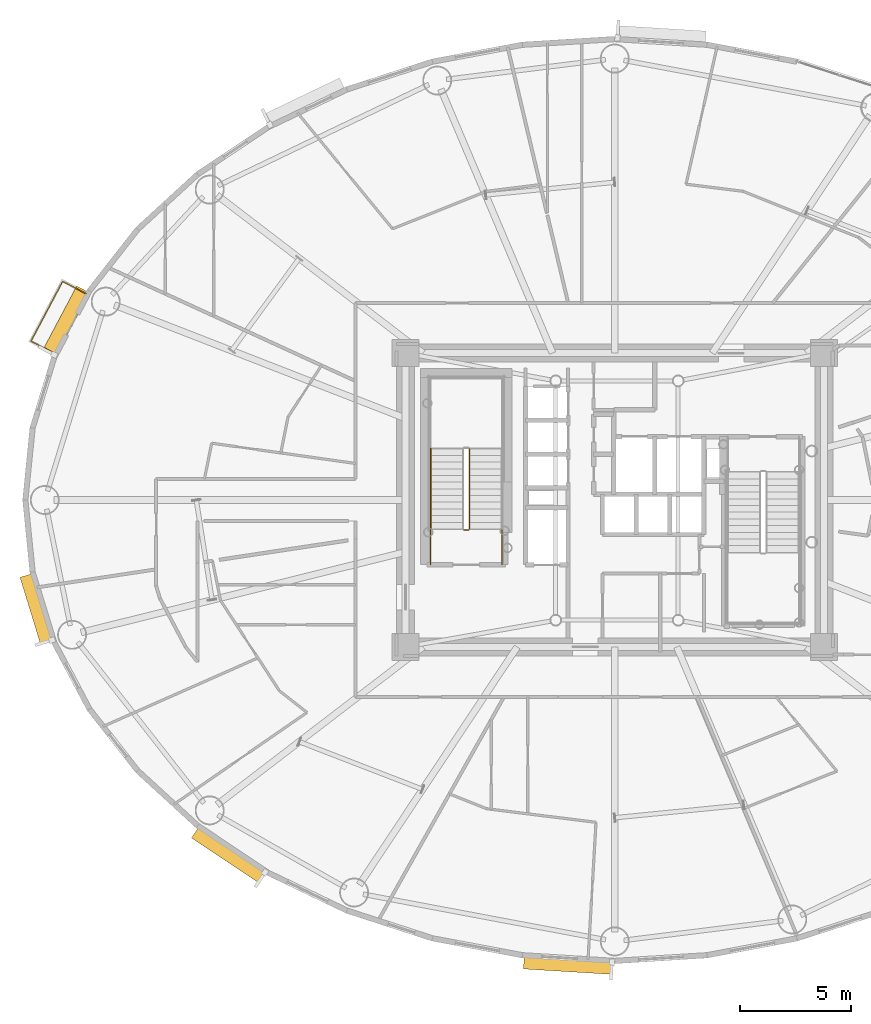
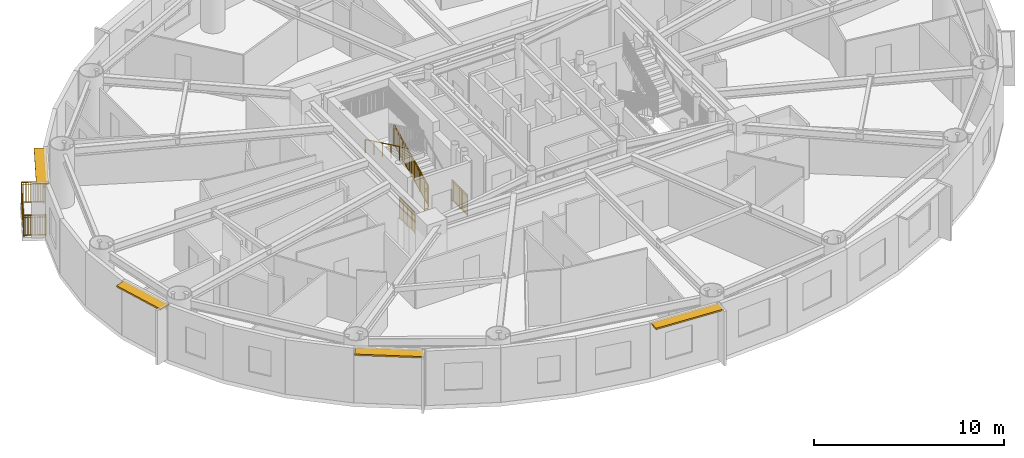
# One storey, part 15 of 21: 6 railings, 4 shading devices.
"""IFC4 building model written with IfcOpenShell, lengths in metres."""

from ifc_helpers import new_model, si_unit, direction, frame, origin, origin_2d, place, context, subcontext, project, spatial, rectangle, extrude, source, transform, mapped, material, layer, layer_set, type_object, element, save


model = new_model("IFC4")

# Units and contexts
model_context = context("Model", 3, precision=1e-05, world=origin(), true_north=direction((0.0, 1.0)))
body_context = subcontext(model_context, "Body", "Model", "MODEL_VIEW")
ifc_project = project(units=[si_unit("LENGTHUNIT", "METRE"), si_unit("AREAUNIT", "SQUARE_METRE"), si_unit("VOLUMEUNIT", "CUBIC_METRE"), si_unit("PLANEANGLEUNIT", "RADIAN"), si_unit("MASSUNIT", "GRAM", prefix="KILO")], contexts=[model_context])

# Site, building, storey
site_placement = place(None, origin())
site = spatial("IfcSite", under=ifc_project, at=site_placement, CompositionType="ELEMENT")
building_placement = place(site_placement, origin())
building = spatial("IfcBuilding", under=site, at=building_placement, Name="Linh Dai School and Residence Tower", CompositionType="ELEMENT")
storey_placement = place(building_placement, frame((0.0, 0.0, 156.14990234375)))
storey = spatial("IfcBuildingStorey", under=building, at=storey_placement, Name="L37", CompositionType="ELEMENT", Elevation=156.14990234375)

# Shading devices
ifc_material_1 = material(Name="Terracotta Ceramic Sunshade", Category="masonry")
ifc_layer = layer(ifc_material_1, 0.10009765625)
ifc_layer_set = layer_set([ifc_layer], Name="Terracotta Ceramic Sunshade")
shading_device_type = type_object("IfcShadingDeviceType", Name="SHD-TC-650", PredefinedType="USERDEFINED", material=ifc_layer_set)
shared_shape_1 = source(origin(), body_context, "Body", "SweptSolid", [
    extrude(rectangle(XDim=3.168212890625, YDim=0.64990234375, at=origin_2d()), origin(), (0.0, 0.0, 1.0), 0.10009765625),
])
shading_device_1_placement = place(storey_placement, frame((10.061279296875, 22.105224609375, 3.380126953125), z_axis=(0.0, 0.0, 1.0), x_axis=(-0.293121969301, 0.956075055167, 0.0)))
element("IfcShadingDevice", 1, at=shading_device_1_placement, inside=storey, type_object=shading_device_type, Name="L37 Terracotta Horizontal Sunshade Band 22", ObjectType="SUNSHADE", PredefinedType="USERDEFINED", context=body_context, shape_type="MappedRepresentation", body=[
    mapped(shared_shape_1, transform((0.0, 0.0, 0.0), x_axis=(1.0, 0.0, 0.0), y_axis=(0.0, 1.0, 0.0), z_axis=(0.0, 0.0, 1.0), scale=1.0)),
])
shared_shape_2 = source(origin(), body_context, "Body", "SweptSolid", [
    extrude(rectangle(XDim=3.64794921875, YDim=0.64990234375, at=origin_2d()), origin(), (0.0, 0.0, 1.0), 0.10009765625),
])
shading_device_2_placement = place(storey_placement, frame((18.68896484375, 11.076171875, 3.380126953125), z_axis=(0.0, 0.0, 1.0), x_axis=(-0.831228338651, 0.555931154932, 0.0)))
element("IfcShadingDevice", 2, at=shading_device_2_placement, inside=storey, type_object=shading_device_type, Name="L37 Terracotta Horizontal Sunshade Band 26", ObjectType="SUNSHADE", PredefinedType="USERDEFINED", context=body_context, shape_type="MappedRepresentation", body=[
    mapped(shared_shape_2, transform((0.0, 0.0, 0.0), x_axis=(1.0, 0.0, 0.0), y_axis=(0.0, 1.0, 0.0), z_axis=(0.0, 0.0, 1.0), scale=1.0)),
])
shared_shape_3 = source(origin(), body_context, "Body", "SweptSolid", [
    extrude(rectangle(XDim=3.987548828125, YDim=0.64990234375, at=origin_2d()), origin(), (0.0, 0.0, 1.0), 0.10009765625),
])
shading_device_3_placement = place(storey_placement, frame((33.90966796875, 6.13818359375, 3.380126953125), z_axis=(0.0, 0.0, 1.0), x_axis=(-0.99810632076, 0.061512376467, 0.0)))
element("IfcShadingDevice", 3, at=shading_device_3_placement, inside=storey, type_object=shading_device_type, Name="L37 Terracotta Horizontal Sunshade Band 30", ObjectType="SUNSHADE", PredefinedType="USERDEFINED", context=body_context, shape_type="MappedRepresentation", body=[
    mapped(shared_shape_3, transform((0.0, 0.0, 0.0), x_axis=(1.0, 0.0, 0.0), y_axis=(0.0, 1.0, 0.0), z_axis=(0.0, 0.0, 1.0), scale=1.0)),
])

# Railing
ifc_material_2 = material(Name="Structural Steel S355JR", Category="steel")
railing_type_1 = type_object("IfcRailingType", Name="RL-BAL-1400", PredefinedType="BALUSTRADE", material=ifc_material_2)
shared_shape_4 = source(origin(), body_context, "Body", "SweptSolid", [
    extrude(rectangle(XDim=0.048095703125, YDim=0.048095703125, at=origin_2d()), frame((0.0, 0.0, 1.3759765625), z_axis=(-0.884059525788, 0.467374319859, 0.0), x_axis=(-0.467374319859, -0.884059525788, 0.0)), (0.0, 0.0, 1.0), 1.179931640625),
    extrude(rectangle(XDim=0.048095703125, YDim=0.048095703125, at=origin_2d()), frame((0.0, 0.0, 0.10009765625), z_axis=(-0.884059525788, 0.467374319859, 0.0), x_axis=(-0.467374319859, -0.884059525788, 0.0)), (0.0, 0.0, 1.0), 1.179931640625),
    extrude(rectangle(XDim=0.030029296875, YDim=0.030029296875, at=origin_2d()), frame((0.0, 0.0, 1.239990234375), z_axis=(-0.884059525788, 0.467374319859, 0.0), x_axis=(-0.467374319859, -0.884059525788, 0.0)), (0.0, 0.0, 1.0), 1.179931640625),
    extrude(rectangle(XDim=0.02001953125, YDim=0.02001953125, at=origin_2d()), frame((-0.080322265625, 0.04248046875, 0.10009765625)), (0.0, 0.0, 1.0), 1.251708984375),
    extrude(rectangle(XDim=0.02001953125, YDim=0.02001953125, at=origin_2d()), frame((-0.160400390625, 0.0849609375, 0.10009765625)), (0.0, 0.0, 1.0), 1.251708984375),
    extrude(rectangle(XDim=0.02001953125, YDim=0.02001953125, at=origin_2d()), frame((-0.24072265625, 0.127197265625, 0.10009765625)), (0.0, 0.0, 1.0), 1.251708984375),
    extrude(rectangle(XDim=0.02001953125, YDim=0.02001953125, at=origin_2d()), frame((-0.321044921875, 0.169677734375, 0.10009765625)), (0.0, 0.0, 1.0), 1.251708984375),
    extrude(rectangle(XDim=0.02001953125, YDim=0.02001953125, at=origin_2d()), frame((-0.401123046875, 0.212158203125, 0.10009765625)), (0.0, 0.0, 1.0), 1.251708984375),
    extrude(rectangle(XDim=0.02001953125, YDim=0.02001953125, at=origin_2d()), frame((-0.4814453125, 0.254638671875, 0.10009765625)), (0.0, 0.0, 1.0), 1.251708984375),
    extrude(rectangle(XDim=0.02001953125, YDim=0.02001953125, at=origin_2d()), frame((-0.561767578125, 0.296875, 0.10009765625)), (0.0, 0.0, 1.0), 1.251708984375),
    extrude(rectangle(XDim=0.02001953125, YDim=0.02001953125, at=origin_2d()), frame((-0.64208984375, 0.33935546875, 0.10009765625)), (0.0, 0.0, 1.0), 1.251708984375),
    extrude(rectangle(XDim=0.02001953125, YDim=0.02001953125, at=origin_2d()), frame((-0.72216796875, 0.3818359375, 0.10009765625)), (0.0, 0.0, 1.0), 1.251708984375),
    extrude(rectangle(XDim=0.02001953125, YDim=0.02001953125, at=origin_2d()), frame((-0.802490234375, 0.42431640625, 0.10009765625)), (0.0, 0.0, 1.0), 1.251708984375),
    extrude(rectangle(XDim=0.02001953125, YDim=0.02001953125, at=origin_2d()), frame((-0.8828125, 0.466552734375, 0.10009765625)), (0.0, 0.0, 1.0), 1.251708984375),
    extrude(rectangle(XDim=0.02001953125, YDim=0.02001953125, at=origin_2d()), frame((-0.962890625, 0.509033203125, 0.10009765625)), (0.0, 0.0, 1.0), 1.251708984375),
    extrude(rectangle(XDim=0.048095703125, YDim=0.048095703125, at=origin_2d()), frame((-1.043212890625, 0.551513671875, 1.3759765625), z_axis=(0.467602962324, 0.88393861191, 0.0), x_axis=(-0.88393861191, 0.467602962324, 0.0)), (0.0, 0.0, 1.0), 3.033447265625),
    extrude(rectangle(XDim=0.048095703125, YDim=0.048095703125, at=origin_2d()), frame((-1.043212890625, 0.551513671875, 0.10009765625), z_axis=(0.467602962324, 0.88393861191, 0.0), x_axis=(-0.88393861191, 0.467602962324, 0.0)), (0.0, 0.0, 1.0), 3.033447265625),
    extrude(rectangle(XDim=0.030029296875, YDim=0.030029296875, at=origin_2d()), frame((-1.043212890625, 0.551513671875, 1.239990234375), z_axis=(0.467602962324, 0.88393861191, 0.0), x_axis=(-0.88393861191, 0.467602962324, 0.0)), (0.0, 0.0, 1.0), 3.033447265625),
    extrude(rectangle(XDim=0.02001953125, YDim=0.02001953125, at=origin_2d()), frame((-0.99755859375, 0.637939453125, 0.10009765625)), (0.0, 0.0, 1.0), 1.251708984375),
    extrude(rectangle(XDim=0.02001953125, YDim=0.02001953125, at=origin_2d()), frame((-0.95166015625, 0.724609375, 0.10009765625)), (0.0, 0.0, 1.0), 1.251708984375),
    extrude(rectangle(XDim=0.02001953125, YDim=0.02001953125, at=origin_2d()), frame((-0.906005859375, 0.81103515625, 0.10009765625)), (0.0, 0.0, 1.0), 1.251708984375),
    extrude(rectangle(XDim=0.02001953125, YDim=0.02001953125, at=origin_2d()), frame((-0.860107421875, 0.8974609375, 0.10009765625)), (0.0, 0.0, 1.0), 1.251708984375),
    extrude(rectangle(XDim=0.02001953125, YDim=0.02001953125, at=origin_2d()), frame((-0.814453125, 0.98388671875, 0.10009765625)), (0.0, 0.0, 1.0), 1.251708984375),
    extrude(rectangle(XDim=0.02001953125, YDim=0.02001953125, at=origin_2d()), frame((-0.7685546875, 1.070556640625, 0.10009765625)), (0.0, 0.0, 1.0), 1.251708984375),
    extrude(rectangle(XDim=0.02001953125, YDim=0.02001953125, at=origin_2d()), frame((-0.722900390625, 1.156982421875, 0.10009765625)), (0.0, 0.0, 1.0), 1.251708984375),
    extrude(rectangle(XDim=0.02001953125, YDim=0.02001953125, at=origin_2d()), frame((-0.67724609375, 1.243408203125, 0.10009765625)), (0.0, 0.0, 1.0), 1.251708984375),
    extrude(rectangle(XDim=0.02001953125, YDim=0.02001953125, at=origin_2d()), frame((-0.63134765625, 1.330078125, 0.10009765625)), (0.0, 0.0, 1.0), 1.251708984375),
    extrude(rectangle(XDim=0.02001953125, YDim=0.02001953125, at=origin_2d()), frame((-0.539794921875, 1.5029296875, 0.10009765625)), (0.0, 0.0, 1.0), 1.251708984375),
    extrude(rectangle(XDim=0.02001953125, YDim=0.02001953125, at=origin_2d()), frame((-0.494140625, 1.58935546875, 0.10009765625)), (0.0, 0.0, 1.0), 1.251708984375),
    extrude(rectangle(XDim=0.02001953125, YDim=0.02001953125, at=origin_2d()), frame((-0.448486328125, 1.676025390625, 0.10009765625)), (0.0, 0.0, 1.0), 1.251708984375),
    extrude(rectangle(XDim=0.02001953125, YDim=0.02001953125, at=origin_2d()), frame((-0.402587890625, 1.762451171875, 0.10009765625)), (0.0, 0.0, 1.0), 1.251708984375),
    extrude(rectangle(XDim=0.02001953125, YDim=0.02001953125, at=origin_2d()), frame((-0.35693359375, 1.848876953125, 0.10009765625)), (0.0, 0.0, 1.0), 1.251708984375),
    extrude(rectangle(XDim=0.02001953125, YDim=0.02001953125, at=origin_2d()), frame((-0.31103515625, 1.935546875, 0.10009765625)), (0.0, 0.0, 1.0), 1.251708984375),
    extrude(rectangle(XDim=0.02001953125, YDim=0.02001953125, at=origin_2d()), frame((-0.265380859375, 2.02197265625, 0.10009765625)), (0.0, 0.0, 1.0), 1.251708984375),
    extrude(rectangle(XDim=0.02001953125, YDim=0.02001953125, at=origin_2d()), frame((-0.219482421875, 2.1083984375, 0.10009765625)), (0.0, 0.0, 1.0), 1.251708984375),
    extrude(rectangle(XDim=0.02001953125, YDim=0.02001953125, at=origin_2d()), frame((-0.173828125, 2.195068359375, 0.10009765625)), (0.0, 0.0, 1.0), 1.251708984375),
    extrude(rectangle(XDim=0.02001953125, YDim=0.02001953125, at=origin_2d()), frame((-0.128173828125, 2.281494140625, 0.10009765625)), (0.0, 0.0, 1.0), 1.251708984375),
    extrude(rectangle(XDim=0.02001953125, YDim=0.02001953125, at=origin_2d()), frame((-0.03662109375, 2.454345703125, 0.10009765625)), (0.0, 0.0, 1.0), 1.251708984375),
    extrude(rectangle(XDim=0.02001953125, YDim=0.02001953125, at=origin_2d()), frame((0.00927734375, 2.541015625, 0.10009765625)), (0.0, 0.0, 1.0), 1.251708984375),
    extrude(rectangle(XDim=0.02001953125, YDim=0.02001953125, at=origin_2d()), frame((0.054931640625, 2.62744140625, 0.10009765625)), (0.0, 0.0, 1.0), 1.251708984375),
    extrude(rectangle(XDim=0.02001953125, YDim=0.02001953125, at=origin_2d()), frame((0.1005859375, 2.7138671875, 0.10009765625)), (0.0, 0.0, 1.0), 1.251708984375),
    extrude(rectangle(XDim=0.02001953125, YDim=0.02001953125, at=origin_2d()), frame((0.146484375, 2.800537109375, 0.10009765625)), (0.0, 0.0, 1.0), 1.251708984375),
    extrude(rectangle(XDim=0.02001953125, YDim=0.02001953125, at=origin_2d()), frame((0.192138671875, 2.886962890625, 0.10009765625)), (0.0, 0.0, 1.0), 1.251708984375),
    extrude(rectangle(XDim=0.02001953125, YDim=0.02001953125, at=origin_2d()), frame((0.238037109375, 2.973388671875, 0.10009765625)), (0.0, 0.0, 1.0), 1.251708984375),
    extrude(rectangle(XDim=0.02001953125, YDim=0.02001953125, at=origin_2d()), frame((0.28369140625, 3.059814453125, 0.10009765625)), (0.0, 0.0, 1.0), 1.251708984375),
    extrude(rectangle(XDim=0.02001953125, YDim=0.02001953125, at=origin_2d()), frame((0.32958984375, 3.146484375, 0.10009765625)), (0.0, 0.0, 1.0), 1.251708984375),
    extrude(rectangle(XDim=0.048095703125, YDim=0.048095703125, at=origin_2d()), frame((0.375244140625, 3.23291015625, 1.3759765625), z_axis=(0.883928800226, -0.467621509483, 0.0), x_axis=(0.467621509483, 0.883928800226, 0.0)), (0.0, 0.0, 1.0), 1.179931640625),
    extrude(rectangle(XDim=0.048095703125, YDim=0.048095703125, at=origin_2d()), frame((0.375244140625, 3.23291015625, 0.10009765625), z_axis=(0.883928800226, -0.467621509483, 0.0), x_axis=(0.467621509483, 0.883928800226, 0.0)), (0.0, 0.0, 1.0), 1.179931640625),
    extrude(rectangle(XDim=0.030029296875, YDim=0.030029296875, at=origin_2d()), frame((0.375244140625, 3.23291015625, 1.239990234375), z_axis=(0.883928800226, -0.467621509483, 0.0), x_axis=(0.467621509483, 0.883928800226, 0.0)), (0.0, 0.0, 1.0), 1.179931640625),
    extrude(rectangle(XDim=0.02001953125, YDim=0.02001953125, at=origin_2d()), frame((0.45556640625, 3.1904296875, 0.10009765625)), (0.0, 0.0, 1.0), 1.251708984375),
    extrude(rectangle(XDim=0.02001953125, YDim=0.02001953125, at=origin_2d()), frame((0.53564453125, 3.14794921875, 0.10009765625)), (0.0, 0.0, 1.0), 1.251708984375),
    extrude(rectangle(XDim=0.02001953125, YDim=0.02001953125, at=origin_2d()), frame((0.615966796875, 3.10546875, 0.10009765625)), (0.0, 0.0, 1.0), 1.251708984375),
    extrude(rectangle(XDim=0.02001953125, YDim=0.02001953125, at=origin_2d()), frame((0.696044921875, 3.063232421875, 0.10009765625)), (0.0, 0.0, 1.0), 1.251708984375),
    extrude(rectangle(XDim=0.02001953125, YDim=0.02001953125, at=origin_2d()), frame((0.7763671875, 3.020751953125, 0.10009765625)), (0.0, 0.0, 1.0), 1.251708984375),
    extrude(rectangle(XDim=0.02001953125, YDim=0.02001953125, at=origin_2d()), frame((0.856689453125, 2.978271484375, 0.10009765625)), (0.0, 0.0, 1.0), 1.251708984375),
    extrude(rectangle(XDim=0.02001953125, YDim=0.02001953125, at=origin_2d()), frame((0.936767578125, 2.935791015625, 0.10009765625)), (0.0, 0.0, 1.0), 1.251708984375),
    extrude(rectangle(XDim=0.02001953125, YDim=0.02001953125, at=origin_2d()), frame((1.01708984375, 2.893310546875, 0.10009765625)), (0.0, 0.0, 1.0), 1.251708984375),
    extrude(rectangle(XDim=0.02001953125, YDim=0.02001953125, at=origin_2d()), frame((1.097412109375, 2.850830078125, 0.10009765625)), (0.0, 0.0, 1.0), 1.251708984375),
    extrude(rectangle(XDim=0.02001953125, YDim=0.02001953125, at=origin_2d()), frame((1.177490234375, 2.80859375, 0.10009765625)), (0.0, 0.0, 1.0), 1.251708984375),
    extrude(rectangle(XDim=0.02001953125, YDim=0.02001953125, at=origin_2d()), frame((1.2578125, 2.76611328125, 0.10009765625)), (0.0, 0.0, 1.0), 1.251708984375),
    extrude(rectangle(XDim=0.02001953125, YDim=0.02001953125, at=origin_2d()), frame((1.337890625, 2.7236328125, 0.10009765625)), (0.0, 0.0, 1.0), 1.251708984375),
    extrude(rectangle(XDim=0.0419921875, YDim=0.0419921875, at=origin_2d()), origin(), (0.0, 0.0, 1.0), 1.3759765625),
    extrude(rectangle(XDim=0.0419921875, YDim=0.0419921875, at=origin_2d()), frame((-1.043212890625, 0.551513671875, 0.0)), (0.0, 0.0, 1.0), 1.3759765625),
    extrude(rectangle(XDim=0.0419921875, YDim=0.0419921875, at=origin_2d()), frame((-0.5703125, 1.4453125, 0.0)), (0.0, 0.0, 1.0), 1.3759765625),
    extrude(rectangle(XDim=0.0419921875, YDim=0.0419921875, at=origin_2d()), frame((-0.09765625, 2.339111328125, 0.0)), (0.0, 0.0, 1.0), 1.3759765625),
    extrude(rectangle(XDim=0.0419921875, YDim=0.0419921875, at=origin_2d()), frame((0.375244140625, 3.23291015625, 0.0)), (0.0, 0.0, 1.0), 1.3759765625),
    extrude(rectangle(XDim=0.0419921875, YDim=0.0419921875, at=origin_2d()), frame((1.418212890625, 2.68115234375, 0.0)), (0.0, 0.0, 1.0), 1.3759765625),
])
railing_1_placement = place(storey_placement, frame((10.826416015625, 33.587890625, 0.0)))
element("IfcRailing", 4, at=railing_1_placement, inside=storey, type_object=railing_type_1, Name="L37 Balcony Safety Balustrade 18", PredefinedType="BALUSTRADE", context=body_context, shape_type="MappedRepresentation", body=[
    mapped(shared_shape_4, transform((0.0, 0.0, 0.0), x_axis=(1.0, 0.0, 0.0), y_axis=(0.0, 1.0, 0.0), z_axis=(0.0, 0.0, 1.0), scale=1.0)),
])

# Shading device
shared_shape_5 = source(origin(), body_context, "Body", "SweptSolid", [
    extrude(rectangle(XDim=3.257568359375, YDim=0.64990234375, at=origin_2d()), origin(), (0.0, 0.0, 1.0), 0.10009765625),
])
shading_device_4_placement = place(storey_placement, frame((11.358642578125, 35.02197265625, 3.380126953125), z_axis=(0.0, 0.0, 1.0), x_axis=(0.467580060884, 0.883950726378, 0.0)))
element("IfcShadingDevice", 5, at=shading_device_4_placement, inside=storey, type_object=shading_device_type, Name="L37 Terracotta Horizontal Sunshade Band 18", ObjectType="SUNSHADE", PredefinedType="USERDEFINED", context=body_context, shape_type="MappedRepresentation", body=[
    mapped(shared_shape_5, transform((0.0, 0.0, 0.0), x_axis=(1.0, 0.0, 0.0), y_axis=(0.0, 1.0, 0.0), z_axis=(0.0, 0.0, 1.0), scale=1.0)),
])

# Railings
railing_type_2 = type_object("IfcRailingType", Name="RL-ST-GUARD-1400", PredefinedType="GUARDRAIL", material=ifc_material_2)
shared_shape_6 = source(origin(), body_context, "Body", "SweptSolid", [
    extrude(rectangle(XDim=0.048095703125, YDim=0.048095703125, at=origin_2d()), frame((0.0, 0.0, 1.3759765625), z_axis=(-1.0, 0.0, 0.0), x_axis=(0.0, -1.0, 0.0)), (0.0, 0.0, 1.0), 0.199951171875),
    extrude(rectangle(XDim=0.048095703125, YDim=0.048095703125, at=origin_2d()), frame((0.0, 0.0, 0.10009765625), z_axis=(-1.0, 0.0, 0.0), x_axis=(0.0, -1.0, 0.0)), (0.0, 0.0, 1.0), 0.199951171875),
    extrude(rectangle(XDim=0.030029296875, YDim=0.030029296875, at=origin_2d()), frame((0.0, 0.0, 1.239990234375), z_axis=(-1.0, 0.0, 0.0), x_axis=(0.0, -1.0, 0.0)), (0.0, 0.0, 1.0), 0.199951171875),
    extrude(rectangle(XDim=0.0419921875, YDim=0.0419921875, at=origin_2d()), origin(), (0.0, 0.0, 1.0), 1.3759765625),
    extrude(rectangle(XDim=0.0419921875, YDim=0.0419921875, at=origin_2d()), frame((-0.199951171875, 0.0, 0.0)), (0.0, 0.0, 1.0), 1.3759765625),
])
railing_2_placement = place(storey_placement, frame((29.429931640625, 25.64990234375, 0.0)))
element("IfcRailing", 6, at=railing_2_placement, inside=storey, type_object=railing_type_2, Name="L37 ST1 stair guard 7", PredefinedType="GUARDRAIL", context=body_context, shape_type="MappedRepresentation", body=[
    mapped(shared_shape_6, transform((0.0, 0.0, 0.0), x_axis=(1.0, 0.0, 0.0), y_axis=(0.0, 1.0, 0.0), z_axis=(0.0, 0.0, 1.0), scale=1.0)),
])
shared_shape_7 = source(origin(), body_context, "Body", "SweptSolid", [
    extrude(rectangle(XDim=0.048095703125, YDim=0.048095703125, at=origin_2d()), frame((0.0, 0.0, 1.3759765625), z_axis=(0.0, 1.0, 0.0), x_axis=(-1.0, 0.0, 0.0)), (0.0, 0.0, 1.0), 1.599853515625),
    extrude(rectangle(XDim=0.048095703125, YDim=0.048095703125, at=origin_2d()), frame((0.0, 0.0, 0.10009765625), z_axis=(0.0, 1.0, 0.0), x_axis=(-1.0, 0.0, 0.0)), (0.0, 0.0, 1.0), 1.599853515625),
    extrude(rectangle(XDim=0.030029296875, YDim=0.030029296875, at=origin_2d()), frame((0.0, 0.0, 1.239990234375), z_axis=(0.0, 1.0, 0.0), x_axis=(-1.0, 0.0, 0.0)), (0.0, 0.0, 1.0), 1.599853515625),
    extrude(rectangle(XDim=0.02001953125, YDim=0.02001953125, at=origin_2d()), frame((0.0, 0.093994140625, 0.10009765625)), (0.0, 0.0, 1.0), 1.251708984375),
    extrude(rectangle(XDim=0.02001953125, YDim=0.02001953125, at=origin_2d()), frame((0.0, 0.188232421875, 0.10009765625)), (0.0, 0.0, 1.0), 1.251708984375),
    extrude(rectangle(XDim=0.02001953125, YDim=0.02001953125, at=origin_2d()), frame((0.0, 0.2822265625, 0.10009765625)), (0.0, 0.0, 1.0), 1.251708984375),
    extrude(rectangle(XDim=0.02001953125, YDim=0.02001953125, at=origin_2d()), frame((0.0, 0.37646484375, 0.10009765625)), (0.0, 0.0, 1.0), 1.251708984375),
    extrude(rectangle(XDim=0.02001953125, YDim=0.02001953125, at=origin_2d()), frame((0.0, 0.470458984375, 0.10009765625)), (0.0, 0.0, 1.0), 1.251708984375),
    extrude(rectangle(XDim=0.02001953125, YDim=0.02001953125, at=origin_2d()), frame((0.0, 0.564697265625, 0.10009765625)), (0.0, 0.0, 1.0), 1.251708984375),
    extrude(rectangle(XDim=0.02001953125, YDim=0.02001953125, at=origin_2d()), frame((0.0, 0.65869140625, 0.10009765625)), (0.0, 0.0, 1.0), 1.251708984375),
    extrude(rectangle(XDim=0.02001953125, YDim=0.02001953125, at=origin_2d()), frame((0.0, 0.7529296875, 0.10009765625)), (0.0, 0.0, 1.0), 1.251708984375),
    extrude(rectangle(XDim=0.02001953125, YDim=0.02001953125, at=origin_2d()), frame((0.0, 0.846923828125, 0.10009765625)), (0.0, 0.0, 1.0), 1.251708984375),
    extrude(rectangle(XDim=0.02001953125, YDim=0.02001953125, at=origin_2d()), frame((0.0, 0.941162109375, 0.10009765625)), (0.0, 0.0, 1.0), 1.251708984375),
    extrude(rectangle(XDim=0.02001953125, YDim=0.02001953125, at=origin_2d()), frame((0.0, 1.03515625, 0.10009765625)), (0.0, 0.0, 1.0), 1.251708984375),
    extrude(rectangle(XDim=0.02001953125, YDim=0.02001953125, at=origin_2d()), frame((0.0, 1.12939453125, 0.10009765625)), (0.0, 0.0, 1.0), 1.251708984375),
    extrude(rectangle(XDim=0.02001953125, YDim=0.02001953125, at=origin_2d()), frame((0.0, 1.223388671875, 0.10009765625)), (0.0, 0.0, 1.0), 1.251708984375),
    extrude(rectangle(XDim=0.02001953125, YDim=0.02001953125, at=origin_2d()), frame((0.0, 1.317626953125, 0.10009765625)), (0.0, 0.0, 1.0), 1.251708984375),
    extrude(rectangle(XDim=0.02001953125, YDim=0.02001953125, at=origin_2d()), frame((0.0, 1.41162109375, 0.10009765625)), (0.0, 0.0, 1.0), 1.251708984375),
    extrude(rectangle(XDim=0.02001953125, YDim=0.02001953125, at=origin_2d()), frame((0.0, 1.505859375, 0.10009765625)), (0.0, 0.0, 1.0), 1.251708984375),
    extrude(rectangle(XDim=0.0419921875, YDim=0.0419921875, at=origin_2d()), origin(), (0.0, 0.0, 1.0), 1.3759765625),
    extrude(rectangle(XDim=0.0419921875, YDim=0.0419921875, at=origin_2d()), frame((0.0, 0.7998046875, 0.0)), (0.0, 0.0, 1.0), 1.3759765625),
    extrude(rectangle(XDim=0.0419921875, YDim=0.0419921875, at=origin_2d()), frame((0.0, 1.599853515625, 0.0)), (0.0, 0.0, 1.0), 1.3759765625),
])
for number, where, name in (
    (7, (30.929931640625, 24.10009765625, 0.0), "L37 ST1 stair guard 8"),
    (8, (27.72998046875, 24.10009765625, 0.0), "L37 ST1 stair guard 9"),
):
    element("IfcRailing", number, at=place(storey_placement, frame(where)), inside=storey, type_object=railing_type_2, Name=name, PredefinedType="GUARDRAIL", context=body_context, shape_type="MappedRepresentation", body=[
        mapped(shared_shape_7, transform((0.0, 0.0, 0.0), x_axis=(1.0, 0.0, 0.0), y_axis=(0.0, 1.0, 0.0), z_axis=(0.0, 0.0, 1.0), scale=1.0)),
    ])
shared_shape_8 = source(origin(), body_context, "Body", "SweptSolid", [
    extrude(rectangle(XDim=0.048095703125, YDim=0.048095703125, at=origin_2d()), frame((0.0, 0.0, 1.3759765625), z_axis=(0.0, 0.901262522062, 0.433273431364), x_axis=(-1.0, 0.0, 0.0)), (0.0, 0.0, 1.0), 3.994384765625),
    extrude(rectangle(XDim=0.048095703125, YDim=0.048095703125, at=origin_2d()), frame((0.0, 0.0, 0.10009765625), z_axis=(0.0, 0.901262522062, 0.433273431364), x_axis=(-1.0, 0.0, 0.0)), (0.0, 0.0, 1.0), 3.994384765625),
    extrude(rectangle(XDim=0.030029296875, YDim=0.030029296875, at=origin_2d()), frame((0.0, 0.0, 1.239990234375), z_axis=(0.0, 0.901262522062, 0.433273431364), x_axis=(-1.0, 0.0, 0.0)), (0.0, 0.0, 1.0), 3.994384765625),
    extrude(rectangle(XDim=0.02001953125, YDim=0.02001953125, at=origin_2d()), frame((0.0, 0.087890625, 0.142333984375)), (0.0, 0.0, 1.0), 1.251708984375),
    extrude(rectangle(XDim=0.02001953125, YDim=0.02001953125, at=origin_2d()), frame((0.0, 0.175537109375, 0.1845703125)), (0.0, 0.0, 1.0), 1.251708984375),
    extrude(rectangle(XDim=0.02001953125, YDim=0.02001953125, at=origin_2d()), frame((0.0, 0.263427734375, 0.226806640625)), (0.0, 0.0, 1.0), 1.251708984375),
    extrude(rectangle(XDim=0.02001953125, YDim=0.02001953125, at=origin_2d()), frame((0.0, 0.351318359375, 0.26904296875)), (0.0, 0.0, 1.0), 1.251708984375),
    extrude(rectangle(XDim=0.02001953125, YDim=0.02001953125, at=origin_2d()), frame((0.0, 0.43896484375, 0.311279296875)), (0.0, 0.0, 1.0), 1.251708984375),
    extrude(rectangle(XDim=0.02001953125, YDim=0.02001953125, at=origin_2d()), frame((0.0, 0.52685546875, 0.353271484375)), (0.0, 0.0, 1.0), 1.251708984375),
    extrude(rectangle(XDim=0.02001953125, YDim=0.02001953125, at=origin_2d()), frame((0.0, 0.61474609375, 0.3955078125)), (0.0, 0.0, 1.0), 1.251708984375),
    extrude(rectangle(XDim=0.02001953125, YDim=0.02001953125, at=origin_2d()), frame((0.0, 0.702392578125, 0.437744140625)), (0.0, 0.0, 1.0), 1.251708984375),
    extrude(rectangle(XDim=0.02001953125, YDim=0.02001953125, at=origin_2d()), frame((0.0, 0.790283203125, 0.47998046875)), (0.0, 0.0, 1.0), 1.251708984375),
    extrude(rectangle(XDim=0.02001953125, YDim=0.02001953125, at=origin_2d()), frame((0.0, 0.9658203125, 0.564453125)), (0.0, 0.0, 1.0), 1.251708984375),
    extrude(rectangle(XDim=0.02001953125, YDim=0.02001953125, at=origin_2d()), frame((0.0, 1.0537109375, 0.606689453125)), (0.0, 0.0, 1.0), 1.251708984375),
    extrude(rectangle(XDim=0.02001953125, YDim=0.02001953125, at=origin_2d()), frame((0.0, 1.1416015625, 0.64892578125)), (0.0, 0.0, 1.0), 1.251708984375),
    extrude(rectangle(XDim=0.02001953125, YDim=0.02001953125, at=origin_2d()), frame((0.0, 1.229248046875, 0.691162109375)), (0.0, 0.0, 1.0), 1.251708984375),
    extrude(rectangle(XDim=0.02001953125, YDim=0.02001953125, at=origin_2d()), frame((0.0, 1.317138671875, 0.7333984375)), (0.0, 0.0, 1.0), 1.251708984375),
    extrude(rectangle(XDim=0.02001953125, YDim=0.02001953125, at=origin_2d()), frame((0.0, 1.405029296875, 0.775390625)), (0.0, 0.0, 1.0), 1.251708984375),
    extrude(rectangle(XDim=0.02001953125, YDim=0.02001953125, at=origin_2d()), frame((0.0, 1.49267578125, 0.817626953125)), (0.0, 0.0, 1.0), 1.251708984375),
    extrude(rectangle(XDim=0.02001953125, YDim=0.02001953125, at=origin_2d()), frame((0.0, 1.58056640625, 0.85986328125)), (0.0, 0.0, 1.0), 1.251708984375),
    extrude(rectangle(XDim=0.02001953125, YDim=0.02001953125, at=origin_2d()), frame((0.0, 1.66845703125, 0.902099609375)), (0.0, 0.0, 1.0), 1.251708984375),
    extrude(rectangle(XDim=0.02001953125, YDim=0.02001953125, at=origin_2d()), frame((0.0, 1.756103515625, 0.9443359375)), (0.0, 0.0, 1.0), 1.251708984375),
    extrude(rectangle(XDim=0.02001953125, YDim=0.02001953125, at=origin_2d()), frame((0.0, 1.843994140625, 0.986572265625)), (0.0, 0.0, 1.0), 1.251708984375),
    extrude(rectangle(XDim=0.02001953125, YDim=0.02001953125, at=origin_2d()), frame((0.0, 1.931640625, 1.02880859375)), (0.0, 0.0, 1.0), 1.251708984375),
    extrude(rectangle(XDim=0.02001953125, YDim=0.02001953125, at=origin_2d()), frame((0.0, 2.01953125, 1.071044921875)), (0.0, 0.0, 1.0), 1.251708984375),
    extrude(rectangle(XDim=0.02001953125, YDim=0.02001953125, at=origin_2d()), frame((0.0, 2.107421875, 1.11328125)), (0.0, 0.0, 1.0), 1.251708984375),
    extrude(rectangle(XDim=0.02001953125, YDim=0.02001953125, at=origin_2d()), frame((0.0, 2.195068359375, 1.155517578125)), (0.0, 0.0, 1.0), 1.251708984375),
    extrude(rectangle(XDim=0.02001953125, YDim=0.02001953125, at=origin_2d()), frame((0.0, 2.282958984375, 1.197509765625)), (0.0, 0.0, 1.0), 1.251708984375),
    extrude(rectangle(XDim=0.02001953125, YDim=0.02001953125, at=origin_2d()), frame((0.0, 2.370849609375, 1.23974609375)), (0.0, 0.0, 1.0), 1.251708984375),
    extrude(rectangle(XDim=0.02001953125, YDim=0.02001953125, at=origin_2d()), frame((0.0, 2.45849609375, 1.281982421875)), (0.0, 0.0, 1.0), 1.251708984375),
    extrude(rectangle(XDim=0.02001953125, YDim=0.02001953125, at=origin_2d()), frame((0.0, 2.54638671875, 1.32421875)), (0.0, 0.0, 1.0), 1.251708984375),
    extrude(rectangle(XDim=0.02001953125, YDim=0.02001953125, at=origin_2d()), frame((0.0, 2.63427734375, 1.366455078125)), (0.0, 0.0, 1.0), 1.251708984375),
    extrude(rectangle(XDim=0.02001953125, YDim=0.02001953125, at=origin_2d()), frame((0.0, 2.809814453125, 1.450927734375)), (0.0, 0.0, 1.0), 1.251708984375),
    extrude(rectangle(XDim=0.02001953125, YDim=0.02001953125, at=origin_2d()), frame((0.0, 2.897705078125, 1.4931640625)), (0.0, 0.0, 1.0), 1.251708984375),
    extrude(rectangle(XDim=0.02001953125, YDim=0.02001953125, at=origin_2d()), frame((0.0, 2.9853515625, 1.535400390625)), (0.0, 0.0, 1.0), 1.251708984375),
    extrude(rectangle(XDim=0.02001953125, YDim=0.02001953125, at=origin_2d()), frame((0.0, 3.0732421875, 1.57763671875)), (0.0, 0.0, 1.0), 1.251708984375),
    extrude(rectangle(XDim=0.02001953125, YDim=0.02001953125, at=origin_2d()), frame((0.0, 3.1611328125, 1.61962890625)), (0.0, 0.0, 1.0), 1.251708984375),
    extrude(rectangle(XDim=0.02001953125, YDim=0.02001953125, at=origin_2d()), frame((0.0, 3.248779296875, 1.661865234375)), (0.0, 0.0, 1.0), 1.251708984375),
    extrude(rectangle(XDim=0.02001953125, YDim=0.02001953125, at=origin_2d()), frame((0.0, 3.336669921875, 1.7041015625)), (0.0, 0.0, 1.0), 1.251708984375),
    extrude(rectangle(XDim=0.02001953125, YDim=0.02001953125, at=origin_2d()), frame((0.0, 3.424560546875, 1.746337890625)), (0.0, 0.0, 1.0), 1.251708984375),
    extrude(rectangle(XDim=0.02001953125, YDim=0.02001953125, at=origin_2d()), frame((0.0, 3.51220703125, 1.78857421875)), (0.0, 0.0, 1.0), 1.251708984375),
    extrude(rectangle(XDim=0.0419921875, YDim=0.0419921875, at=origin_2d()), origin(), (0.0, 0.0, 1.0), 1.3759765625),
    extrude(rectangle(XDim=0.0419921875, YDim=0.0419921875, at=origin_2d()), frame((0.0, 0.89990234375, 0.4326171875)), (0.0, 0.0, 1.0), 1.3759765625),
    extrude(rectangle(XDim=0.0419921875, YDim=0.0419921875, at=origin_2d()), frame((0.0, 1.800048828125, 0.865234375)), (0.0, 0.0, 1.0), 1.3759765625),
    extrude(rectangle(XDim=0.0419921875, YDim=0.0419921875, at=origin_2d()), frame((0.0, 2.7001953125, 1.298095703125)), (0.0, 0.0, 1.0), 1.3759765625),
    extrude(rectangle(XDim=0.0419921875, YDim=0.0419921875, at=origin_2d()), frame((0.0, 3.60009765625, 1.730712890625)), (0.0, 0.0, 1.0), 1.3759765625),
])
railing_3_placement = place(storey_placement, frame((29.47998046875, 25.699951171875, 0.144287109375)))
element("IfcRailing", 9, at=railing_3_placement, inside=storey, type_object=railing_type_2, Name="L37 ST1 stair guard 1", PredefinedType="GUARDRAIL", context=body_context, shape_type="MappedRepresentation", body=[
    mapped(shared_shape_8, transform((0.0, 0.0, 0.0), x_axis=(1.0, 0.0, 0.0), y_axis=(0.0, 1.0, 0.0), z_axis=(0.0, 0.0, 1.0), scale=1.0)),
])
ifc_material_3 = material(Name="Brushed Stainless Steel Handrail", Category="steel")
railing_type_3 = type_object("IfcRailingType", Name="RL-ST-HANDRAIL-900", PredefinedType="HANDRAIL", material=ifc_material_3)
shared_shape_9 = source(origin(), body_context, "Body", "SweptSolid", [
    extrude(rectangle(XDim=0.048095703125, YDim=0.048095703125, at=origin_2d()), frame((0.0, 0.0, 0.8759765625), z_axis=(0.0, -0.901262522062, 0.433273431364), x_axis=(1.0, 0.0, 0.0)), (0.0, 0.0, 1.0), 3.994384765625),
    extrude(rectangle(XDim=0.0419921875, YDim=0.0419921875, at=origin_2d()), origin(), (0.0, 0.0, 1.0), 0.8759765625),
    extrude(rectangle(XDim=0.0419921875, YDim=0.0419921875, at=origin_2d()), frame((0.0, -0.89990234375, 0.4326171875)), (0.0, 0.0, 1.0), 0.8759765625),
    extrude(rectangle(XDim=0.0419921875, YDim=0.0419921875, at=origin_2d()), frame((0.0, -1.800048828125, 0.865234375)), (0.0, 0.0, 1.0), 0.8759765625),
    extrude(rectangle(XDim=0.0419921875, YDim=0.0419921875, at=origin_2d()), frame((0.0, -2.7001953125, 1.298095703125)), (0.0, 0.0, 1.0), 0.8759765625),
    extrude(rectangle(XDim=0.0419921875, YDim=0.0419921875, at=origin_2d()), frame((0.0, -3.60009765625, 1.730712890625)), (0.0, 0.0, 1.0), 0.8759765625),
])
railing_4_placement = place(storey_placement, frame((27.72998046875, 29.300048828125, 2.019287109375)))
element("IfcRailing", 10, at=railing_4_placement, inside=storey, type_object=railing_type_3, Name="L37 ST1 stair handrail 2", PredefinedType="HANDRAIL", context=body_context, shape_type="MappedRepresentation", body=[
    mapped(shared_shape_9, transform((0.0, 0.0, 0.0), x_axis=(1.0, 0.0, 0.0), y_axis=(0.0, 1.0, 0.0), z_axis=(0.0, 0.0, 1.0), scale=1.0)),
])

save(model, "model.ifc")
